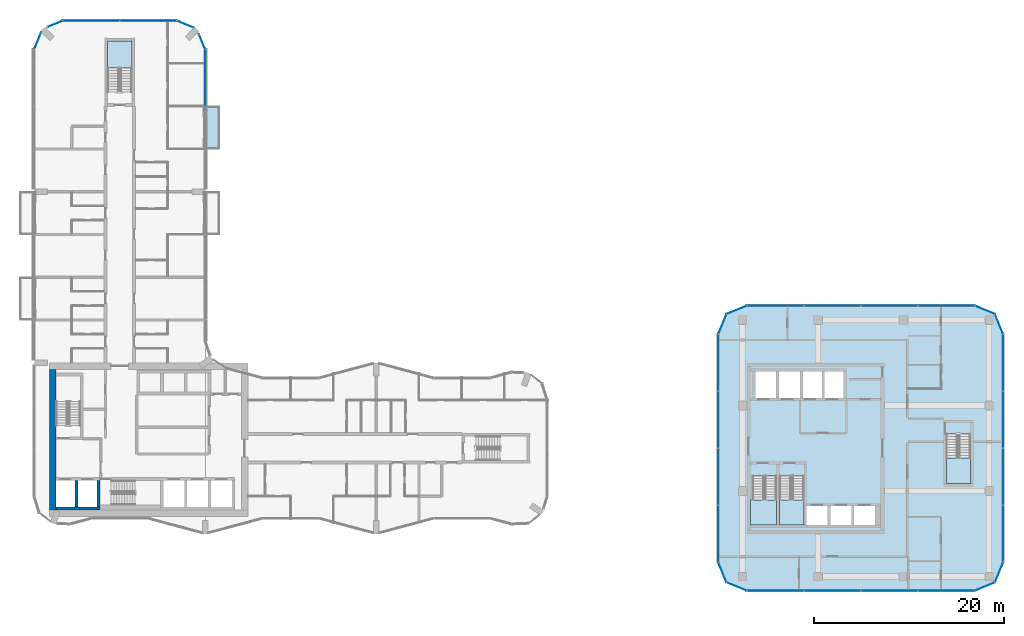
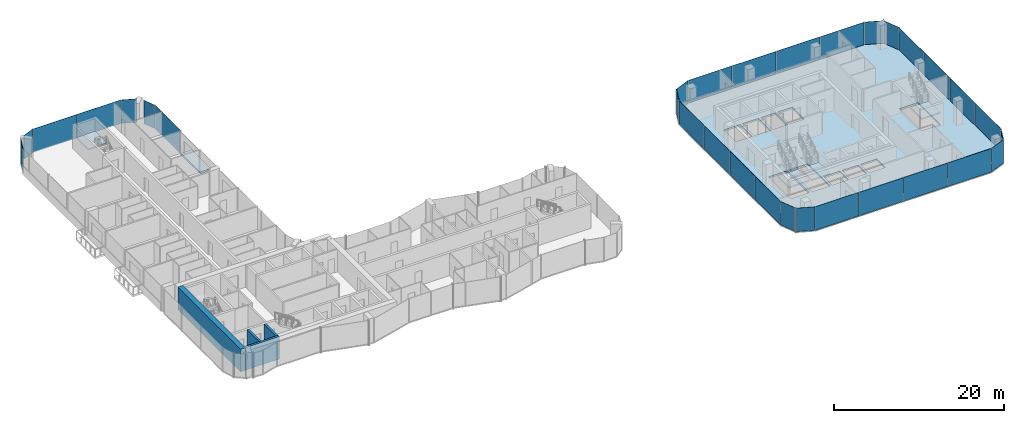
# One storey, part 12 of 23: 31 plates, 6 slabs, 4 walls, 22 elements without a shape of their own.
"""IFC4 building model written with IfcOpenShell, lengths in metres."""

from ifc_helpers import new_model, si_unit, direction, frame, frame_2d, origin, origin_2d, place, context, subcontext, project, spatial, polyline, rectangle, outline, extrude, material, layer, layer_set, type_object, element, aggregate, save


model = new_model("IFC4")

# Units and contexts
model_context = context("Model", 3, precision=1e-05, world=origin(), true_north=direction((0.0, 1.0)))
body_context = subcontext(model_context, "Body", "Model", "MODEL_VIEW")
ifc_project = project(units=[si_unit("LENGTHUNIT", "METRE"), si_unit("AREAUNIT", "SQUARE_METRE"), si_unit("VOLUMEUNIT", "CUBIC_METRE"), si_unit("PLANEANGLEUNIT", "RADIAN"), si_unit("MASSUNIT", "GRAM", prefix="KILO")], contexts=[model_context])

# Site, building, storey
site_placement = place(None, origin())
site = spatial("IfcSite", under=ifc_project, at=site_placement, CompositionType="ELEMENT")
building_placement = place(site_placement, origin())
building = spatial("IfcBuilding", under=site, at=building_placement, Name="Plateau Cross Towers", CompositionType="ELEMENT")
storey_placement = place(building_placement, frame((0.0, 0.0, 92.300048828125)))
storey = spatial("IfcBuildingStorey", under=building, at=storey_placement, Name="L23", CompositionType="ELEMENT", Elevation=92.300048828125)

# Slab
ifc_material_1 = material(Name="Concrete C40/50", Category="concrete")
ifc_layer_1 = layer(ifc_material_1, 0.25)
ifc_layer_set_1 = layer_set([ifc_layer_1], Name="Concrete C40/50")
slab_type_1 = type_object("IfcSlabType", Name="Balcony slab 250", PredefinedType="FLOOR", material=ifc_layer_set_1)
slab_1_placement = place(storey_placement, frame((0.0, 0.0, -0.25)))
element("IfcSlab", 1, at=slab_1_placement, inside=storey, type_object=slab_type_1, Name="Balcony slab A-BAL-L23-04", PredefinedType="FLOOR", context=body_context, shape_type="SweptSolid", body=[
    extrude(outline(polyline([(19.5, 40.5), (19.5, 45.0), (18.0, 45.0), (18.0, 40.5), (19.5, 40.5)])), origin(), (0.0, 0.0, 1.0), 0.25),
])

# Curtain wall, plates
ifc_material_2 = material(Name="Dark low-iron glass", Category="glass")
ifc_layer_2 = layer(ifc_material_2, 0.239990234375)
ifc_layer_set_2 = layer_set([ifc_layer_2], Name="Dark low-iron glass")
curtain_wall_type_1 = type_object("IfcCurtainWallType", Name="Curtain wall office unitised CW-F", PredefinedType="NOTDEFINED", material=ifc_layer_set_2)
curtain_wall_1_placement = place(storey_placement, origin())
curtain_wall_1 = element("IfcCurtainWall", 2, at=curtain_wall_1_placement, inside=storey, type_object=curtain_wall_type_1, Name="ENV/B/L23/B750_-60", PredefinedType="NOTDEFINED")
ifc_layer_3 = layer(ifc_material_2, 0.028076171875)
ifc_layer_set_3 = layer_set([ifc_layer_3], Name="Dark low-iron glass")
plate_type_1 = type_object("IfcPlateType", Name="Glass panel 28 office unitised", PredefinedType="CURTAIN_PANEL", material=ifc_layer_set_3)
plate_1_placement = place(storey_placement, frame((78.0, -6.0, -0.1298828125), z_axis=(0.0, 0.0, 1.0), x_axis=(1.0, 0.0, 0.0)))
plate_1 = element("IfcPlate", 3, at=plate_1_placement, type_object=plate_type_1, Name="CW-F panel 1", PredefinedType="CURTAIN_PANEL", context=body_context, shape_type="SweptSolid", body=[
    extrude(rectangle(XDim=5.93994140625, YDim=0.028076171875, at=origin_2d()), origin(), (0.0, 0.0, 1.0), 3.3798828125),
])
plate_2_placement = place(storey_placement, frame((84.0, -6.0, -0.1298828125), z_axis=(0.0, 0.0, 1.0), x_axis=(1.0, 0.0, 0.0)))
plate_2 = element("IfcPlate", 4, at=plate_2_placement, type_object=plate_type_1, Name="CW-F panel 2", PredefinedType="CURTAIN_PANEL", context=body_context, shape_type="SweptSolid", body=[
    extrude(rectangle(XDim=5.93994140625, YDim=0.028076171875, at=origin_2d()), origin(), (0.0, 0.0, 1.0), 3.3798828125),
])
plate_3_placement = place(storey_placement, frame((90.0, -6.0, -0.1298828125), z_axis=(0.0, 0.0, 1.0), x_axis=(1.0, 0.0, 0.0)))
plate_3 = element("IfcPlate", 5, at=plate_3_placement, type_object=plate_type_1, Name="CW-F panel 3", PredefinedType="CURTAIN_PANEL", context=body_context, shape_type="SweptSolid", body=[
    extrude(rectangle(XDim=5.93994140625, YDim=0.028076171875, at=origin_2d()), origin(), (0.0, 0.0, 1.0), 3.3798828125),
])
plate_4_placement = place(storey_placement, frame((96.0, -6.0, -0.1298828125), z_axis=(0.0, 0.0, 1.0), x_axis=(1.0, 0.0, 0.0)))
plate_4 = element("IfcPlate", 6, at=plate_4_placement, type_object=plate_type_1, Name="CW-F panel 4", PredefinedType="CURTAIN_PANEL", context=body_context, shape_type="SweptSolid", body=[
    extrude(rectangle(XDim=5.93994140625, YDim=0.028076171875, at=origin_2d()), origin(), (0.0, 0.0, 1.0), 3.3798828125),
])
aggregate(curtain_wall_1, [plate_1, plate_2, plate_3, plate_4])

# Curtain wall, plate
curtain_wall_2_placement = place(storey_placement, origin())
curtain_wall_2 = element("IfcCurtainWall", 7, at=curtain_wall_2_placement, inside=storey, type_object=curtain_wall_type_1, Name="ENV/B/L23/B990_-60", PredefinedType="NOTDEFINED")
plate_5_placement = place(storey_placement, frame((100.060546875, -5.560546875, -0.1298828125), z_axis=(0.0, 0.0, 1.0), x_axis=(0.923879457699, 0.382683612978, 0.0)))
plate_5 = element("IfcPlate", 8, at=plate_5_placement, type_object=plate_type_1, Name="CW-F panel 1", PredefinedType="CURTAIN_PANEL", context=body_context, shape_type="SweptSolid", body=[
    extrude(rectangle(XDim=2.236083984375, YDim=0.028076171875, at=origin_2d()), origin(), (0.0, 0.0, 1.0), 3.3798828125),
])
aggregate(curtain_wall_2, [plate_5])

curtain_wall_3_placement = place(storey_placement, origin())
curtain_wall_3 = element("IfcCurtainWall", 9, at=curtain_wall_3_placement, inside=storey, type_object=curtain_wall_type_1, Name="ENV/B/L23/B1011_-51", PredefinedType="NOTDEFINED")
plate_6_placement = place(storey_placement, frame((101.560546875, -4.060546875, -0.1298828125), z_axis=(0.0, 0.0, 1.0), x_axis=(0.382683612978, 0.923879457699, 0.0)))
plate_6 = element("IfcPlate", 10, at=plate_6_placement, type_object=plate_type_1, Name="CW-F panel 1", PredefinedType="CURTAIN_PANEL", context=body_context, shape_type="SweptSolid", body=[
    extrude(rectangle(XDim=2.236083984375, YDim=0.028076171875, at=origin_2d()), origin(), (0.0, 0.0, 1.0), 3.3798828125),
])
aggregate(curtain_wall_3, [plate_6])

# Curtain wall, plates
curtain_wall_4_placement = place(storey_placement, origin())
curtain_wall_4 = element("IfcCurtainWall", 11, at=curtain_wall_4_placement, inside=storey, type_object=curtain_wall_type_1, Name="ENV/B/L23/B1020_-30", PredefinedType="NOTDEFINED")
plate_7_placement = place(storey_placement, frame((102.0, 0.0, -0.1298828125), z_axis=(0.0, 0.0, 1.0), x_axis=(0.0, 1.0, 0.0)))
plate_7 = element("IfcPlate", 12, at=plate_7_placement, type_object=plate_type_1, Name="CW-F panel 1", PredefinedType="CURTAIN_PANEL", context=body_context, shape_type="SweptSolid", body=[
    extrude(rectangle(XDim=5.93994140625, YDim=0.028076171875, at=origin_2d()), origin(), (0.0, 0.0, 1.0), 3.3798828125),
])
plate_8_placement = place(storey_placement, frame((102.0, 6.0, -0.1298828125), z_axis=(0.0, 0.0, 1.0), x_axis=(0.0, 1.0, 0.0)))
plate_8 = element("IfcPlate", 13, at=plate_8_placement, type_object=plate_type_1, Name="CW-F panel 2", PredefinedType="CURTAIN_PANEL", context=body_context, shape_type="SweptSolid", body=[
    extrude(rectangle(XDim=5.93994140625, YDim=0.028076171875, at=origin_2d()), origin(), (0.0, 0.0, 1.0), 3.3798828125),
])
plate_9_placement = place(storey_placement, frame((102.0, 12.0, -0.1298828125), z_axis=(0.0, 0.0, 1.0), x_axis=(0.0, 1.0, 0.0)))
plate_9 = element("IfcPlate", 14, at=plate_9_placement, type_object=plate_type_1, Name="CW-F panel 3", PredefinedType="CURTAIN_PANEL", context=body_context, shape_type="SweptSolid", body=[
    extrude(rectangle(XDim=5.93994140625, YDim=0.028076171875, at=origin_2d()), origin(), (0.0, 0.0, 1.0), 3.3798828125),
])
plate_10_placement = place(storey_placement, frame((102.0, 18.0, -0.1298828125), z_axis=(0.0, 0.0, 1.0), x_axis=(0.0, 1.0, 0.0)))
plate_10 = element("IfcPlate", 15, at=plate_10_placement, type_object=plate_type_1, Name="CW-F panel 4", PredefinedType="CURTAIN_PANEL", context=body_context, shape_type="SweptSolid", body=[
    extrude(rectangle(XDim=5.93994140625, YDim=0.028076171875, at=origin_2d()), origin(), (0.0, 0.0, 1.0), 3.3798828125),
])
aggregate(curtain_wall_4, [plate_7, plate_8, plate_9, plate_10])

# Curtain wall, plate
curtain_wall_5_placement = place(storey_placement, origin())
curtain_wall_5 = element("IfcCurtainWall", 16, at=curtain_wall_5_placement, inside=storey, type_object=curtain_wall_type_1, Name="ENV/B/L23/B1020_210", PredefinedType="NOTDEFINED")
plate_11_placement = place(storey_placement, frame((101.560546875, 22.060546875, -0.1298828125), z_axis=(0.0, 0.0, 1.0), x_axis=(-0.382683612978, 0.923879457699, 0.0)))
plate_11 = element("IfcPlate", 17, at=plate_11_placement, type_object=plate_type_1, Name="CW-F panel 1", PredefinedType="CURTAIN_PANEL", context=body_context, shape_type="SweptSolid", body=[
    extrude(rectangle(XDim=2.236083984375, YDim=0.028076171875, at=origin_2d()), origin(), (0.0, 0.0, 1.0), 3.3798828125),
])
aggregate(curtain_wall_5, [plate_11])

curtain_wall_6_placement = place(storey_placement, origin())
curtain_wall_6 = element("IfcCurtainWall", 18, at=curtain_wall_6_placement, inside=storey, type_object=curtain_wall_type_1, Name="ENV/B/L23/B1011_231", PredefinedType="NOTDEFINED")
plate_12_placement = place(storey_placement, frame((100.060546875, 23.560546875, -0.1298828125), z_axis=(0.0, 0.0, 1.0), x_axis=(-0.923879457699, 0.382683612978, 0.0)))
plate_12 = element("IfcPlate", 19, at=plate_12_placement, type_object=plate_type_1, Name="CW-F panel 1", PredefinedType="CURTAIN_PANEL", context=body_context, shape_type="SweptSolid", body=[
    extrude(rectangle(XDim=2.236083984375, YDim=0.028076171875, at=origin_2d()), origin(), (0.0, 0.0, 1.0), 3.3798828125),
])
aggregate(curtain_wall_6, [plate_12])

# Curtain wall, plates
curtain_wall_7_placement = place(storey_placement, origin())
curtain_wall_7 = element("IfcCurtainWall", 20, at=curtain_wall_7_placement, inside=storey, type_object=curtain_wall_type_1, Name="ENV/B/L23/B990_240", PredefinedType="NOTDEFINED")
plate_13_placement = place(storey_placement, frame((96.0, 24.0, -0.1298828125), z_axis=(0.0, 0.0, 1.0), x_axis=(-1.0, 0.0, 0.0)))
plate_13 = element("IfcPlate", 21, at=plate_13_placement, type_object=plate_type_1, Name="CW-F panel 1", PredefinedType="CURTAIN_PANEL", context=body_context, shape_type="SweptSolid", body=[
    extrude(rectangle(XDim=5.93994140625, YDim=0.028076171875, at=origin_2d()), origin(), (0.0, 0.0, 1.0), 3.3798828125),
])
plate_14_placement = place(storey_placement, frame((90.0, 24.0, -0.1298828125), z_axis=(0.0, 0.0, 1.0), x_axis=(-1.0, 0.0, 0.0)))
plate_14 = element("IfcPlate", 22, at=plate_14_placement, type_object=plate_type_1, Name="CW-F panel 2", PredefinedType="CURTAIN_PANEL", context=body_context, shape_type="SweptSolid", body=[
    extrude(rectangle(XDim=5.93994140625, YDim=0.028076171875, at=origin_2d()), origin(), (0.0, 0.0, 1.0), 3.3798828125),
])
plate_15_placement = place(storey_placement, frame((84.0, 24.0, -0.1298828125), z_axis=(0.0, 0.0, 1.0), x_axis=(-1.0, 0.0, 0.0)))
plate_15 = element("IfcPlate", 23, at=plate_15_placement, type_object=plate_type_1, Name="CW-F panel 3", PredefinedType="CURTAIN_PANEL", context=body_context, shape_type="SweptSolid", body=[
    extrude(rectangle(XDim=5.93994140625, YDim=0.028076171875, at=origin_2d()), origin(), (0.0, 0.0, 1.0), 3.3798828125),
])
plate_16_placement = place(storey_placement, frame((78.0, 24.0, -0.1298828125), z_axis=(0.0, 0.0, 1.0), x_axis=(-1.0, 0.0, 0.0)))
plate_16 = element("IfcPlate", 24, at=plate_16_placement, type_object=plate_type_1, Name="CW-F panel 4", PredefinedType="CURTAIN_PANEL", context=body_context, shape_type="SweptSolid", body=[
    extrude(rectangle(XDim=5.93994140625, YDim=0.028076171875, at=origin_2d()), origin(), (0.0, 0.0, 1.0), 3.3798828125),
])
aggregate(curtain_wall_7, [plate_13, plate_14, plate_15, plate_16])

# Curtain wall, plate
curtain_wall_8_placement = place(storey_placement, origin())
curtain_wall_8 = element("IfcCurtainWall", 25, at=curtain_wall_8_placement, inside=storey, type_object=curtain_wall_type_1, Name="ENV/B/L23/B750_240", PredefinedType="NOTDEFINED")
plate_17_placement = place(storey_placement, frame((73.939453125, 23.560546875, -0.1298828125), z_axis=(0.0, 0.0, 1.0), x_axis=(-0.923879457699, -0.382683612978, 0.0)))
plate_17 = element("IfcPlate", 26, at=plate_17_placement, type_object=plate_type_1, Name="CW-F panel 1", PredefinedType="CURTAIN_PANEL", context=body_context, shape_type="SweptSolid", body=[
    extrude(rectangle(XDim=2.236083984375, YDim=0.028076171875, at=origin_2d()), origin(), (0.0, 0.0, 1.0), 3.3798828125),
])
aggregate(curtain_wall_8, [plate_17])

curtain_wall_9_placement = place(storey_placement, origin())
curtain_wall_9 = element("IfcCurtainWall", 27, at=curtain_wall_9_placement, inside=storey, type_object=curtain_wall_type_1, Name="ENV/B/L23/B729_231", PredefinedType="NOTDEFINED")
plate_18_placement = place(storey_placement, frame((72.439453125, 22.060546875, -0.1298828125), z_axis=(0.0, 0.0, 1.0), x_axis=(-0.382683612978, -0.923879457699, 0.0)))
plate_18 = element("IfcPlate", 28, at=plate_18_placement, type_object=plate_type_1, Name="CW-F panel 1", PredefinedType="CURTAIN_PANEL", context=body_context, shape_type="SweptSolid", body=[
    extrude(rectangle(XDim=2.236083984375, YDim=0.028076171875, at=origin_2d()), origin(), (0.0, 0.0, 1.0), 3.3798828125),
])
aggregate(curtain_wall_9, [plate_18])

# Curtain wall, plates
curtain_wall_10_placement = place(storey_placement, origin())
curtain_wall_10 = element("IfcCurtainWall", 29, at=curtain_wall_10_placement, inside=storey, type_object=curtain_wall_type_1, Name="ENV/B/L23/B720_210", PredefinedType="NOTDEFINED")
plate_19_placement = place(storey_placement, frame((72.0, 18.0, -0.1298828125), z_axis=(0.0, 0.0, 1.0), x_axis=(0.0, -1.0, 0.0)))
plate_19 = element("IfcPlate", 30, at=plate_19_placement, type_object=plate_type_1, Name="CW-F panel 1", PredefinedType="CURTAIN_PANEL", context=body_context, shape_type="SweptSolid", body=[
    extrude(rectangle(XDim=5.93994140625, YDim=0.028076171875, at=origin_2d()), origin(), (0.0, 0.0, 1.0), 3.3798828125),
])
plate_20_placement = place(storey_placement, frame((72.0, 12.0, -0.1298828125), z_axis=(0.0, 0.0, 1.0), x_axis=(0.0, -1.0, 0.0)))
plate_20 = element("IfcPlate", 31, at=plate_20_placement, type_object=plate_type_1, Name="CW-F panel 2", PredefinedType="CURTAIN_PANEL", context=body_context, shape_type="SweptSolid", body=[
    extrude(rectangle(XDim=5.93994140625, YDim=0.028076171875, at=origin_2d()), origin(), (0.0, 0.0, 1.0), 3.3798828125),
])
plate_21_placement = place(storey_placement, frame((72.0, 6.0, -0.1298828125), z_axis=(0.0, 0.0, 1.0), x_axis=(0.0, -1.0, 0.0)))
plate_21 = element("IfcPlate", 32, at=plate_21_placement, type_object=plate_type_1, Name="CW-F panel 3", PredefinedType="CURTAIN_PANEL", context=body_context, shape_type="SweptSolid", body=[
    extrude(rectangle(XDim=5.93994140625, YDim=0.028076171875, at=origin_2d()), origin(), (0.0, 0.0, 1.0), 3.3798828125),
])
plate_22_placement = place(storey_placement, frame((72.0, 0.0, -0.1298828125), z_axis=(0.0, 0.0, 1.0), x_axis=(0.0, -1.0, 0.0)))
plate_22 = element("IfcPlate", 33, at=plate_22_placement, type_object=plate_type_1, Name="CW-F panel 4", PredefinedType="CURTAIN_PANEL", context=body_context, shape_type="SweptSolid", body=[
    extrude(rectangle(XDim=5.93994140625, YDim=0.028076171875, at=origin_2d()), origin(), (0.0, 0.0, 1.0), 3.3798828125),
])
aggregate(curtain_wall_10, [plate_19, plate_20, plate_21, plate_22])

# Curtain wall, plate
curtain_wall_11_placement = place(storey_placement, origin())
curtain_wall_11 = element("IfcCurtainWall", 34, at=curtain_wall_11_placement, inside=storey, type_object=curtain_wall_type_1, Name="ENV/B/L23/B720_-30", PredefinedType="NOTDEFINED")
plate_23_placement = place(storey_placement, frame((72.439453125, -4.060546875, -0.1298828125), z_axis=(0.0, 0.0, 1.0), x_axis=(0.382683612978, -0.923879457699, 0.0)))
plate_23 = element("IfcPlate", 35, at=plate_23_placement, type_object=plate_type_1, Name="CW-F panel 1", PredefinedType="CURTAIN_PANEL", context=body_context, shape_type="SweptSolid", body=[
    extrude(rectangle(XDim=2.236083984375, YDim=0.028076171875, at=origin_2d()), origin(), (0.0, 0.0, 1.0), 3.3798828125),
])
aggregate(curtain_wall_11, [plate_23])

curtain_wall_12_placement = place(storey_placement, origin())
curtain_wall_12 = element("IfcCurtainWall", 36, at=curtain_wall_12_placement, inside=storey, type_object=curtain_wall_type_1, Name="ENV/B/L23/B729_-51", PredefinedType="NOTDEFINED")
plate_24_placement = place(storey_placement, frame((73.939453125, -5.560546875, -0.1298828125), z_axis=(0.0, 0.0, 1.0), x_axis=(0.923879457699, -0.382683612978, 0.0)))
plate_24 = element("IfcPlate", 37, at=plate_24_placement, type_object=plate_type_1, Name="CW-F panel 1", PredefinedType="CURTAIN_PANEL", context=body_context, shape_type="SweptSolid", body=[
    extrude(rectangle(XDim=2.236083984375, YDim=0.028076171875, at=origin_2d()), origin(), (0.0, 0.0, 1.0), 3.3798828125),
])
aggregate(curtain_wall_12, [plate_24])

ifc_layer_4 = layer(ifc_material_2, 0.239990234375)
ifc_layer_set_4 = layer_set([ifc_layer_4], Name="Dark low-iron glass")
curtain_wall_type_2 = type_object("IfcCurtainWallType", Name="Curtain wall flush unitised CW-B", PredefinedType="NOTDEFINED", material=ifc_layer_set_4)
curtain_wall_13_placement = place(storey_placement, origin())
curtain_wall_13 = element("IfcCurtainWall", 38, at=curtain_wall_13_placement, inside=storey, type_object=curtain_wall_type_2, Name="ENV/A/L23/A180_450", PredefinedType="NOTDEFINED")
ifc_layer_5 = layer(ifc_material_2, 0.031982421875)
ifc_layer_set_5 = layer_set([ifc_layer_5], Name="Dark low-iron glass")
plate_type_2 = type_object("IfcPlateType", Name="Glass panel 32 flush unitised", PredefinedType="CURTAIN_PANEL", material=ifc_layer_set_5)
plate_25_placement = place(storey_placement, frame((18.0, 48.0048828125, -0.1298828125), z_axis=(0.0, 0.0, 1.0), x_axis=(0.0, 1.0, 0.0)))
plate_25 = element("IfcPlate", 39, at=plate_25_placement, type_object=plate_type_2, Name="CW-B panel 1", PredefinedType="CURTAIN_PANEL", context=body_context, shape_type="SweptSolid", body=[
    extrude(rectangle(XDim=5.929931640625, YDim=0.031982421875, at=origin_2d()), origin(), (0.0, 0.0, 1.0), 3.3798828125),
])
aggregate(curtain_wall_13, [plate_25])

curtain_wall_14_placement = place(storey_placement, origin())
curtain_wall_14 = element("IfcCurtainWall", 40, at=curtain_wall_14_placement, inside=storey, type_object=curtain_wall_type_2, Name="ENV/A/L23/A180_510", PredefinedType="NOTDEFINED")
plate_26_placement = place(storey_placement, frame((17.66943359375, 51.79833984375, -0.1298828125), z_axis=(0.0, 0.0, 1.0), x_axis=(-0.382683612978, 0.923879457699, 0.0)))
plate_26 = element("IfcPlate", 41, at=plate_26_placement, type_object=plate_type_2, Name="CW-B panel 1", PredefinedType="CURTAIN_PANEL", context=body_context, shape_type="SweptSolid", body=[
    extrude(rectangle(XDim=1.668212890625, YDim=0.031982421875, at=origin_2d()), origin(), (0.0, 0.0, 1.0), 3.3798828125),
])
aggregate(curtain_wall_14, [plate_26])

curtain_wall_15_placement = place(storey_placement, origin())
curtain_wall_15 = element("IfcCurtainWall", 42, at=curtain_wall_15_placement, inside=storey, type_object=curtain_wall_type_2, Name="ENV/A/L23/A168_533", PredefinedType="NOTDEFINED")
plate_27_placement = place(storey_placement, frame((15.90283203125, 53.6259765625, -0.1298828125), z_axis=(0.0, 0.0, 1.0), x_axis=(-0.923879457699, 0.382683612978, 0.0)))
plate_27 = element("IfcPlate", 43, at=plate_27_placement, type_object=plate_type_2, Name="CW-B panel 1", PredefinedType="CURTAIN_PANEL", context=body_context, shape_type="SweptSolid", body=[
    extrude(rectangle(XDim=1.894775390625, YDim=0.031982421875, at=origin_2d()), origin(), (0.0, 0.0, 1.0), 3.3798828125),
])
aggregate(curtain_wall_15, [plate_27])

# Curtain wall, plates
curtain_wall_16_placement = place(storey_placement, origin())
curtain_wall_16 = element("IfcCurtainWall", 44, at=curtain_wall_16_placement, inside=storey, type_object=curtain_wall_type_2, Name="ENV/A/L23/A150_540", PredefinedType="NOTDEFINED")
plate_28_placement = place(storey_placement, frame((12.0, 54.0, -0.1298828125), z_axis=(0.0, 0.0, 1.0), x_axis=(-1.0, 0.0, 0.0)))
plate_28 = element("IfcPlate", 45, at=plate_28_placement, type_object=plate_type_2, Name="CW-B panel 1", PredefinedType="CURTAIN_PANEL", context=body_context, shape_type="SweptSolid", body=[
    extrude(rectangle(XDim=5.93994140625, YDim=0.031982421875, at=origin_2d()), origin(), (0.0, 0.0, 1.0), 3.3798828125),
])
plate_29_placement = place(storey_placement, frame((6.0, 54.0, -0.1298828125), z_axis=(0.0, 0.0, 1.0), x_axis=(-1.0, 0.0, 0.0)))
plate_29 = element("IfcPlate", 46, at=plate_29_placement, type_object=plate_type_2, Name="CW-B panel 2", PredefinedType="CURTAIN_PANEL", context=body_context, shape_type="SweptSolid", body=[
    extrude(rectangle(XDim=5.93994140625, YDim=0.031982421875, at=origin_2d()), origin(), (0.0, 0.0, 1.0), 3.3798828125),
])
aggregate(curtain_wall_16, [plate_28, plate_29])

# Curtain wall, plate
curtain_wall_17_placement = place(storey_placement, origin())
curtain_wall_17 = element("IfcCurtainWall", 47, at=curtain_wall_17_placement, inside=storey, type_object=curtain_wall_type_2, Name="ENV/A/L23/A30_540", PredefinedType="NOTDEFINED")
plate_30_placement = place(storey_placement, frame((2.20166015625, 53.66943359375, -0.1298828125), z_axis=(0.0, 0.0, 1.0), x_axis=(-0.923879457699, -0.382683612978, 0.0)))
plate_30 = element("IfcPlate", 48, at=plate_30_placement, type_object=plate_type_2, Name="CW-B panel 1", PredefinedType="CURTAIN_PANEL", context=body_context, shape_type="SweptSolid", body=[
    extrude(rectangle(XDim=1.668212890625, YDim=0.031982421875, at=origin_2d()), origin(), (0.0, 0.0, 1.0), 3.3798828125),
])
aggregate(curtain_wall_17, [plate_30])

curtain_wall_18_placement = place(storey_placement, origin())
curtain_wall_18 = element("IfcCurtainWall", 49, at=curtain_wall_18_placement, inside=storey, type_object=curtain_wall_type_2, Name="ENV/A/L23/A7_528", PredefinedType="NOTDEFINED")
plate_31_placement = place(storey_placement, frame((0.3740234375, 51.90283203125, -0.1298828125), z_axis=(0.0, 0.0, 1.0), x_axis=(-0.382683612978, -0.923879457699, 0.0)))
plate_31 = element("IfcPlate", 50, at=plate_31_placement, type_object=plate_type_2, Name="CW-B panel 1", PredefinedType="CURTAIN_PANEL", context=body_context, shape_type="SweptSolid", body=[
    extrude(rectangle(XDim=1.894775390625, YDim=0.031982421875, at=origin_2d()), origin(), (0.0, 0.0, 1.0), 3.3798828125),
])
aggregate(curtain_wall_18, [plate_31])

# Slab
ifc_layer_6 = layer(ifc_material_1, 0.25)
ifc_layer_set_6 = layer_set([ifc_layer_6], Name="Concrete C40/50")
slab_type_2 = type_object("IfcSlabType", Name="Post-tensioned flat plate slab 250", PredefinedType="FLOOR", material=ifc_layer_set_6)
slab_2_placement = place(storey_placement, frame((0.0, 0.0, -0.25)))
element("IfcSlab", 51, at=slab_2_placement, inside=storey, type_object=slab_type_2, Name="SL-B-L23", PredefinedType="FLOOR", context=body_context, shape_type="SweptSolid", body=[
    extrude(outline(polyline([(72.878662109375, -5.121337890625), (72.0, -3.0), (72.0, 21.0), (72.878662109375, 23.121337890625), (75.0, 24.0), (99.0, 24.0), (101.121337890625, 23.121337890625), (102.0, 21.0), (102.0, -3.0), (101.121337890625, -5.121337890625), (99.0, -6.0), (75.0, -6.0), (72.878662109375, -5.121337890625)]), holes=[polyline([(75.60009765625, 0.89990234375), (78.14990234375, 0.89990234375), (78.14990234375, 6.10009765625), (75.60009765625, 6.10009765625), (75.60009765625, 0.89990234375)]), polyline([(78.10009765625, 14.300048828125), (78.10009765625, 17.10009765625), (75.89990234375, 17.10009765625), (75.89990234375, 14.300048828125), (78.10009765625, 14.300048828125)]), polyline([(83.5, 0.89990234375), (83.5, 2.89990234375), (81.300048828125, 2.89990234375), (81.300048828125, 0.89990234375), (83.5, 0.89990234375)]), polyline([(86.0, 0.89990234375), (86.0, 2.89990234375), (83.800048828125, 2.89990234375), (83.800048828125, 0.89990234375), (86.0, 0.89990234375)]), polyline([(88.5, 0.89990234375), (88.5, 2.89990234375), (86.300048828125, 2.89990234375), (86.300048828125, 0.89990234375), (88.5, 0.89990234375)]), polyline([(78.449951171875, 0.89990234375), (81.0, 0.89990234375), (81.0, 6.10009765625), (78.449951171875, 6.10009765625), (78.449951171875, 0.89990234375)]), polyline([(96.0, 5.300048828125), (98.550048828125, 5.300048828125), (98.550048828125, 10.5), (96.0, 10.5), (96.0, 5.300048828125)]), polyline([(80.60009765625, 14.300048828125), (80.60009765625, 17.10009765625), (78.39990234375, 17.10009765625), (78.39990234375, 14.300048828125), (80.60009765625, 14.300048828125)]), polyline([(80.89990234375, 14.300048828125), (82.89990234375, 14.300048828125), (82.89990234375, 17.10009765625), (80.89990234375, 17.10009765625), (80.89990234375, 14.300048828125)]), polyline([(83.199951171875, 14.300048828125), (85.199951171875, 14.300048828125), (85.199951171875, 17.10009765625), (83.199951171875, 17.10009765625), (83.199951171875, 14.300048828125)])]), origin(), (0.0, 0.0, 1.0), 0.25),
])

# Stair, slab
stair_type = type_object("IfcStairType", Name="ST-TWR", PredefinedType="HALF_TURN_STAIR", material=ifc_material_1)
stair_1_placement = place(storey_placement, origin())
stair_1 = element("IfcStair", 52, at=stair_1_placement, inside=storey, type_object=stair_type, Name="L23 Protected Exit Stair SB-1", PredefinedType="HALF_TURN_STAIR")
ifc_layer_7 = layer(ifc_material_1, 0.199951171875)
ifc_layer_set_7 = layer_set([ifc_layer_7], Name="Concrete C40/50")
slab_type_3 = type_object("IfcSlabType", Name="SL-LANDING", PredefinedType="LANDING", material=ifc_layer_set_7)
slab_3_placement = place(storey_placement, frame((0.0, 0.0, 1.550048828125)))
slab_3 = element("IfcSlab", 53, at=slab_3_placement, type_object=slab_type_3, Name="SB-1 landing 1", PredefinedType="LANDING", context=body_context, shape_type="SweptSolid", body=[
    extrude(outline(polyline([(75.39990234375, 3.580078125), (75.39990234375, 0.89990234375), (78.14990234375, 0.89990234375), (78.14990234375, 3.580078125), (75.39990234375, 3.580078125)])), origin(), (0.0, 0.0, 1.0), 0.199951171875),
])
aggregate(stair_1, [slab_3])

stair_2_placement = place(storey_placement, origin())
stair_2 = element("IfcStair", 54, at=stair_2_placement, inside=storey, type_object=stair_type, Name="L23 Protected Exit Stair SB-2", PredefinedType="HALF_TURN_STAIR")
slab_4_placement = place(storey_placement, frame((0.0, 0.0, 1.550048828125)))
slab_4 = element("IfcSlab", 55, at=slab_4_placement, type_object=slab_type_3, Name="SB-2 landing 1", PredefinedType="LANDING", context=body_context, shape_type="SweptSolid", body=[
    extrude(outline(polyline([(78.449951171875, 3.580078125), (78.449951171875, 0.89990234375), (81.0, 0.89990234375), (81.0, 3.580078125), (78.449951171875, 3.580078125)])), origin(), (0.0, 0.0, 1.0), 0.199951171875),
])
aggregate(stair_2, [slab_4])

stair_3_placement = place(storey_placement, origin())
stair_3 = element("IfcStair", 56, at=stair_3_placement, inside=storey, type_object=stair_type, Name="L23 Protected Exit Stair SB-3", PredefinedType="HALF_TURN_STAIR")
slab_5_placement = place(storey_placement, frame((0.0, 0.0, 1.550048828125)))
slab_5 = element("IfcSlab", 57, at=slab_5_placement, type_object=slab_type_3, Name="SB-3 landing 1", PredefinedType="LANDING", context=body_context, shape_type="SweptSolid", body=[
    extrude(outline(polyline([(96.0, 7.97998046875), (96.0, 5.300048828125), (98.550048828125, 5.300048828125), (98.550048828125, 7.97998046875), (96.0, 7.97998046875)])), origin(), (0.0, 0.0, 1.0), 0.199951171875),
])
aggregate(stair_3, [slab_5])

stair_4_placement = place(storey_placement, origin())
stair_4 = element("IfcStair", 58, at=stair_4_placement, inside=storey, type_object=stair_type, Name="L23 Protected Exit Stair N", PredefinedType="HALF_TURN_STAIR")
slab_6_placement = place(storey_placement, frame((0.0, 0.0, 1.550048828125)))
slab_6 = element("IfcSlab", 59, at=slab_6_placement, type_object=slab_type_3, Name="ES-N landing 1", PredefinedType="LANDING", context=body_context, shape_type="SweptSolid", body=[
    extrude(outline(polyline([(10.27490234375, 49.02001953125), (10.27490234375, 51.85009765625), (7.72509765625, 51.85009765625), (7.72509765625, 49.02001953125), (10.27490234375, 49.02001953125)])), origin(), (0.0, 0.0, 1.0), 0.199951171875),
])
aggregate(stair_4, [slab_6])

# Walls
ifc_material_3 = material(Name="Concrete C60/75", Category="concrete")
ifc_layer_8 = layer(ifc_material_3, 0.300048828125)
ifc_layer_set_8 = layer_set([ifc_layer_8], Name="Concrete C60/75")
wall_type_1 = type_object("IfcWallType", Name="Core shaft wall 300", PredefinedType="SHEAR", material=ifc_layer_set_8)
wall_1_placement = place(storey_placement, frame((2.300048828125, 2.64990234375, 0.0), z_axis=(0.0, 0.0, 1.0), x_axis=(1.0, 0.0, 0.0)))
element("IfcWall", 60, at=wall_1_placement, inside=storey, type_object=wall_type_1, Name="A-sb-back1@L23", PredefinedType="SHEAR", context=body_context, shape_type="SweptSolid", body=[
    extrude(rectangle(XDim=4.599853515625, YDim=0.300048828125, at=frame_2d((2.2998046875, 0.0))), origin(), (0.0, 0.0, 1.0), 3.25),
])
for number, where, z_axis, x_axis, name in (
    (61, (4.449951171875, 2.800048828125, 0.0), (0.0, 0.0, 1.0), (0.0, 1.0, 0.0), "A-sb-v1@L23"),
    (62, (6.75, 2.800048828125, 0.0), (0.0, 0.0, 1.0), (0.0, 1.0, 0.0), "A-sb-v2@L23"),
):
    element("IfcWall", number, at=place(storey_placement, frame(where, z_axis=z_axis, x_axis=x_axis)), inside=storey, type_object=wall_type_1, Name=name, PredefinedType="SHEAR", context=body_context, shape_type="SweptSolid", body=[
        extrude(rectangle(XDim=2.800048828125, YDim=0.300048828125, at=frame_2d((1.39990234375, 0.0))), origin(), (0.0, 0.0, 1.0), 3.25),
    ])
ifc_layer_9 = layer(ifc_material_3, 0.699951171875)
ifc_layer_set_9 = layer_set([ifc_layer_9], Name="Concrete C60/75")
wall_type_2 = type_object("IfcWallType", Name="Core shell wall 700", PredefinedType="SHEAR", material=ifc_layer_set_9)
wall_2_placement = place(storey_placement, frame((1.949951171875, 2.5, 0.0), z_axis=(0.0, 0.0, 1.0), x_axis=(0.0, 1.0, 0.0)))
element("IfcWall", 63, at=wall_2_placement, inside=storey, type_object=wall_type_2, Name="A-core-W@L23", PredefinedType="SHEAR", context=body_context, shape_type="SweptSolid", body=[
    extrude(rectangle(XDim=14.800048828125, YDim=0.699951171875, at=frame_2d((7.39990234375, 0.0))), origin(), (0.0, 0.0, 1.0), 3.25),
])

save(model, "model.ifc")
